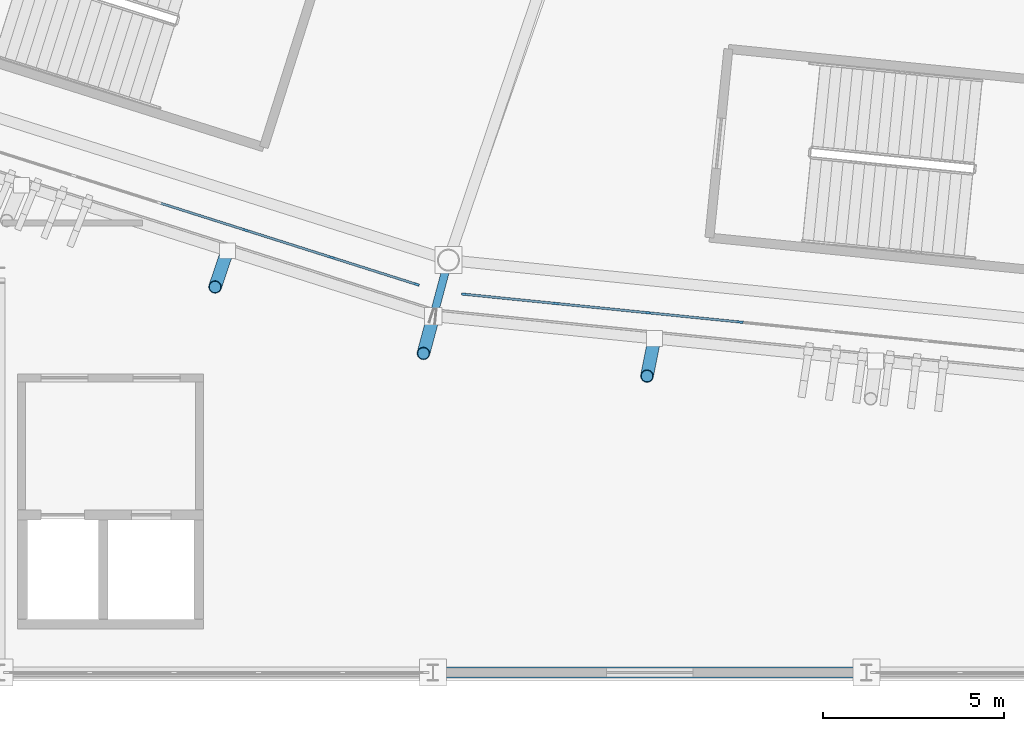
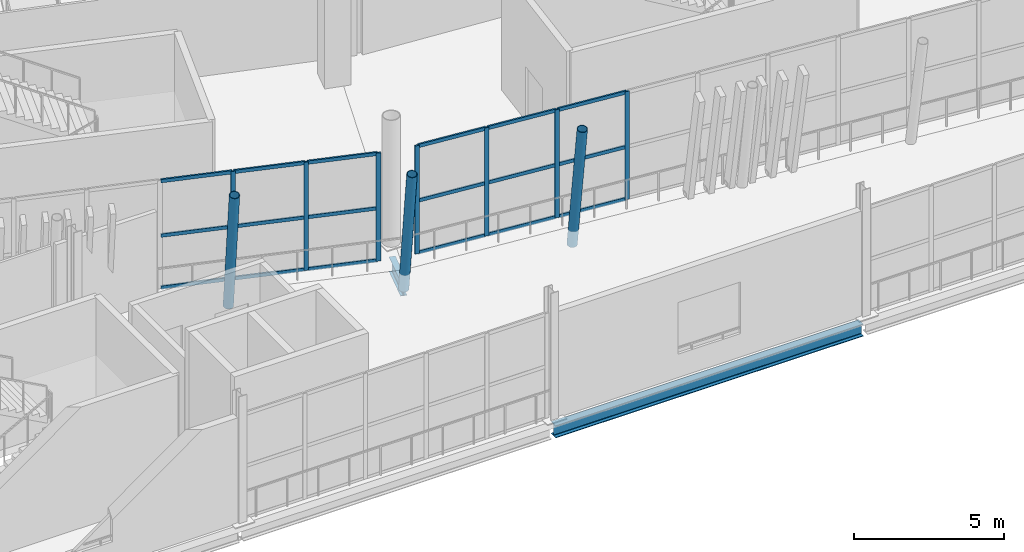
# One storey, part 33 of 178: 28 members, 2 beams, 2 elements without a shape of their own.
"""IFC4 building model written with IfcOpenShell, lengths in metres."""

from ifc_helpers import new_model, si_unit, direction, frame, origin, origin_2d, place, context, subcontext, project, spatial, rectangle, hollow_circle, i_section, extrude, material, material_profile, profile_set, type_object, element, aggregate, save


model = new_model("IFC4")

# Units and contexts
model_context = context("Model", 3, precision=1e-05, world=origin(), true_north=direction((0.0, 1.0)))
body_context = subcontext(model_context, "Body", "Model", "MODEL_VIEW")
ifc_project = project(units=[si_unit("LENGTHUNIT", "METRE"), si_unit("AREAUNIT", "SQUARE_METRE"), si_unit("VOLUMEUNIT", "CUBIC_METRE"), si_unit("PLANEANGLEUNIT", "RADIAN"), si_unit("MASSUNIT", "GRAM", prefix="KILO")], contexts=[model_context])

# Site, building, storey
site_placement = place(None, origin())
site = spatial("IfcSite", under=ifc_project, at=site_placement, CompositionType="ELEMENT")
building_placement = place(site_placement, origin())
building = spatial("IfcBuilding", under=site, at=building_placement, Name="Zlatoyarsky Gate Stadium", CompositionType="ELEMENT")
storey_placement = place(building_placement, frame((0.0, 0.0, 5.39990234375)))
storey = spatial("IfcBuildingStorey", under=building, at=storey_placement, Name="L01", CompositionType="ELEMENT", Elevation=5.39990234375)

# Curtain wall, members
ifc_material_1 = material(Name="Thermally broken anodised aluminium curtain wall", Category="aluminium")
curtain_wall_type = type_object("IfcCurtainWallType", Name="UNITISED HOSPITALITY GLAZING L01", PredefinedType="USERDEFINED", material=ifc_material_1)
curtain_wall_1_placement = place(storey_placement, origin())
curtain_wall_1 = element("IfcCurtainWall", 1, at=curtain_wall_1_placement, inside=storey, type_object=curtain_wall_type, Name="Curtain wall CW-L01-16", ObjectType="UNITISED GLAZING", PredefinedType="USERDEFINED")
ifc_material_2 = material(Name="Anodised aluminium 6063-T6", Category="aluminium")
ifc_material_profile_1 = material_profile(ifc_material_2, rectangle(XDim=0.06494140625, YDim=0.159912109375, at=origin_2d()), Name="ALU 65X160")
ifc_profile_set_1 = profile_set([ifc_material_profile_1], Name="Anodised aluminium 6063-T6")
member_type_1 = type_object("IfcMemberType", Name="ALUMINIUM MULLION 65X160", PredefinedType="MULLION", material=ifc_profile_set_1)
member_1_placement = place(storey_placement, frame((81.3173828125, 12.247314453125, 0.0), z_axis=(0.0, 0.0, 1.0), x_axis=(0.302333944964, 0.953202069722, 0.0)))
member_1 = element("IfcMember", 2, at=member_1_placement, type_object=member_type_1, Name="CW-UG1 mullion 8", PredefinedType="MULLION", context=body_context, shape_type="SweptSolid", body=[
    extrude(rectangle(XDim=0.06494140625, YDim=0.159912109375, at=origin_2d()), origin(), (0.0, 0.0, 1.0), 4.400146484375),
])
member_2_placement = place(storey_placement, frame((83.6962890625, 11.49267578125, 0.0), z_axis=(0.0, 0.0, 1.0), x_axis=(0.302333944964, 0.953202069722, 0.0)))
member_2 = element("IfcMember", 3, at=member_2_placement, type_object=member_type_1, Name="CW-UG1 mullion 9", PredefinedType="MULLION", context=body_context, shape_type="SweptSolid", body=[
    extrude(rectangle(XDim=0.06494140625, YDim=0.159912109375, at=origin_2d()), origin(), (0.0, 0.0, 1.0), 4.400146484375),
])
member_3_placement = place(storey_placement, frame((86.044189453125, 10.748046875, 0.0), z_axis=(0.0, 0.0, 1.0), x_axis=(0.302333944964, 0.953202069722, 0.0)))
member_3 = element("IfcMember", 4, at=member_3_placement, type_object=member_type_1, Name="CW-UG1 mullion 10", PredefinedType="MULLION", context=body_context, shape_type="SweptSolid", body=[
    extrude(rectangle(XDim=0.06494140625, YDim=0.159912109375, at=origin_2d()), origin(), (0.0, 0.0, 1.0), 4.400146484375),
])

curtain_wall_2_placement = place(storey_placement, origin())
curtain_wall_2 = element("IfcCurtainWall", 5, at=curtain_wall_2_placement, inside=storey, type_object=curtain_wall_type, Name="Curtain wall CW-L01-17", ObjectType="UNITISED GLAZING", PredefinedType="USERDEFINED")
member_4_placement = place(storey_placement, frame((87.373779296875, 10.47314453125, 0.0), z_axis=(0.0, 0.0, 1.0), x_axis=(0.100300354307, 0.99495720457, 0.0)))
member_4 = element("IfcMember", 6, at=member_4_placement, type_object=member_type_1, Name="CW-UG1 mullion 1", PredefinedType="MULLION", context=body_context, shape_type="SweptSolid", body=[
    extrude(rectangle(XDim=0.06494140625, YDim=0.159912109375, at=origin_2d()), origin(), (0.0, 0.0, 1.0), 4.400146484375),
])
member_5_placement = place(storey_placement, frame((89.898193359375, 10.21875, 0.0), z_axis=(0.0, 0.0, 1.0), x_axis=(0.100300354307, 0.99495720457, 0.0)))
member_5 = element("IfcMember", 7, at=member_5_placement, type_object=member_type_1, Name="CW-UG1 mullion 2", PredefinedType="MULLION", context=body_context, shape_type="SweptSolid", body=[
    extrude(rectangle(XDim=0.06494140625, YDim=0.159912109375, at=origin_2d()), origin(), (0.0, 0.0, 1.0), 4.400146484375),
])
member_6_placement = place(storey_placement, frame((92.455078125, 9.9609375, 0.0), z_axis=(0.0, 0.0, 1.0), x_axis=(0.100300354307, 0.99495720457, 0.0)))
member_6 = element("IfcMember", 8, at=member_6_placement, type_object=member_type_1, Name="CW-UG1 mullion 3", PredefinedType="MULLION", context=body_context, shape_type="SweptSolid", body=[
    extrude(rectangle(XDim=0.06494140625, YDim=0.159912109375, at=origin_2d()), origin(), (0.0, 0.0, 1.0), 4.400146484375),
])
member_7_placement = place(storey_placement, frame((95.011962890625, 9.703125, 0.0), z_axis=(0.0, 0.0, 1.0), x_axis=(0.100300354307, 0.99495720457, 0.0)))
member_7 = element("IfcMember", 9, at=member_7_placement, type_object=member_type_1, Name="CW-UG1 mullion 4", PredefinedType="MULLION", context=body_context, shape_type="SweptSolid", body=[
    extrude(rectangle(XDim=0.06494140625, YDim=0.159912109375, at=origin_2d()), origin(), (0.0, 0.0, 1.0), 4.400146484375),
])

# Member
ifc_material_profile_2 = material_profile(ifc_material_2, rectangle(XDim=0.06494140625, YDim=0.139892578125, at=origin_2d()), Name="ALU 65X140")
ifc_profile_set_2 = profile_set([ifc_material_profile_2], Name="Anodised aluminium 6063-T6")
member_type_2 = type_object("IfcMemberType", Name="ALUMINIUM TRANSOM 65X140", PredefinedType="USERDEFINED", material=ifc_profile_set_2)
member_8_placement = place(storey_placement, frame((78.969482421875, 12.991943359375, 0.03271484375), z_axis=(0.953202400963, -0.302332900622, 0.0), x_axis=(0.302332900622, 0.953202400963, 0.0)))
member_8 = element("IfcMember", 10, at=member_8_placement, type_object=member_type_2, Name="CW-UG1 transom 7.1", ObjectType="TRANSOM", PredefinedType="USERDEFINED", context=body_context, shape_type="SweptSolid", body=[
    extrude(rectangle(XDim=0.06494140625, YDim=0.139892578125, at=origin_2d()), origin(), (0.0, 0.0, 1.0), 2.4306640625),
])

member_9_placement = place(storey_placement, frame((78.969482421875, 12.991943359375, 2.150146484375), z_axis=(0.953202400963, -0.302332900622, 0.0), x_axis=(0.302332900622, 0.953202400963, 0.0)))
member_9 = element("IfcMember", 11, at=member_9_placement, type_object=member_type_2, Name="CW-UG1 transom 7.2", ObjectType="TRANSOM", PredefinedType="USERDEFINED", context=body_context, shape_type="SweptSolid", body=[
    extrude(rectangle(XDim=0.06494140625, YDim=0.139892578125, at=origin_2d()), origin(), (0.0, 0.0, 1.0), 2.4306640625),
])

member_10_placement = place(storey_placement, frame((78.969482421875, 12.991943359375, 4.36767578125), z_axis=(0.953202400963, -0.302332900622, 0.0), x_axis=(0.302332900622, 0.953202400963, 0.0)))
member_10 = element("IfcMember", 12, at=member_10_placement, type_object=member_type_2, Name="CW-UG1 transom 7.3", ObjectType="TRANSOM", PredefinedType="USERDEFINED", context=body_context, shape_type="SweptSolid", body=[
    extrude(rectangle(XDim=0.06494140625, YDim=0.139892578125, at=origin_2d()), origin(), (0.0, 0.0, 1.0), 2.4306640625),
])

member_11_placement = place(storey_placement, frame((81.348388671875, 12.2373046875, 0.03271484375), z_axis=(0.953202400963, -0.302332900622, 0.0), x_axis=(0.302332900622, 0.953202400963, 0.0)))
member_11 = element("IfcMember", 13, at=member_11_placement, type_object=member_type_2, Name="CW-UG1 transom 8.1", ObjectType="TRANSOM", PredefinedType="USERDEFINED", context=body_context, shape_type="SweptSolid", body=[
    extrude(rectangle(XDim=0.06494140625, YDim=0.139892578125, at=origin_2d()), origin(), (0.0, 0.0, 1.0), 2.4306640625),
])

member_12_placement = place(storey_placement, frame((81.348388671875, 12.2373046875, 2.150146484375), z_axis=(0.953202400963, -0.302332900622, 0.0), x_axis=(0.302332900622, 0.953202400963, 0.0)))
member_12 = element("IfcMember", 14, at=member_12_placement, type_object=member_type_2, Name="CW-UG1 transom 8.2", ObjectType="TRANSOM", PredefinedType="USERDEFINED", context=body_context, shape_type="SweptSolid", body=[
    extrude(rectangle(XDim=0.06494140625, YDim=0.139892578125, at=origin_2d()), origin(), (0.0, 0.0, 1.0), 2.4306640625),
])

member_13_placement = place(storey_placement, frame((81.348388671875, 12.2373046875, 4.36767578125), z_axis=(0.953202400963, -0.302332900622, 0.0), x_axis=(0.302332900622, 0.953202400963, 0.0)))
member_13 = element("IfcMember", 15, at=member_13_placement, type_object=member_type_2, Name="CW-UG1 transom 8.3", ObjectType="TRANSOM", PredefinedType="USERDEFINED", context=body_context, shape_type="SweptSolid", body=[
    extrude(rectangle(XDim=0.06494140625, YDim=0.139892578125, at=origin_2d()), origin(), (0.0, 0.0, 1.0), 2.4306640625),
])

member_14_placement = place(storey_placement, frame((83.727294921875, 11.48291015625, 0.03271484375), z_axis=(0.953194146276, -0.302358924964, 0.0), x_axis=(0.302358924964, 0.953194146276, 0.0)))
member_14 = element("IfcMember", 16, at=member_14_placement, type_object=member_type_2, Name="CW-UG1 transom 9.1", ObjectType="TRANSOM", PredefinedType="USERDEFINED", context=body_context, shape_type="SweptSolid", body=[
    extrude(rectangle(XDim=0.06494140625, YDim=0.139892578125, at=origin_2d()), origin(), (0.0, 0.0, 1.0), 2.398193359375),
])

member_15_placement = place(storey_placement, frame((83.727294921875, 11.48291015625, 2.150146484375), z_axis=(0.953194146276, -0.302358924964, 0.0), x_axis=(0.302358924964, 0.953194146276, 0.0)))
member_15 = element("IfcMember", 17, at=member_15_placement, type_object=member_type_2, Name="CW-UG1 transom 9.2", ObjectType="TRANSOM", PredefinedType="USERDEFINED", context=body_context, shape_type="SweptSolid", body=[
    extrude(rectangle(XDim=0.06494140625, YDim=0.139892578125, at=origin_2d()), origin(), (0.0, 0.0, 1.0), 2.398193359375),
])

member_16_placement = place(storey_placement, frame((83.727294921875, 11.48291015625, 4.36767578125), z_axis=(0.953194146276, -0.302358924964, 0.0), x_axis=(0.302358924964, 0.953194146276, 0.0)))
member_16 = element("IfcMember", 18, at=member_16_placement, type_object=member_type_2, Name="CW-UG1 transom 9.3", ObjectType="TRANSOM", PredefinedType="USERDEFINED", context=body_context, shape_type="SweptSolid", body=[
    extrude(rectangle(XDim=0.06494140625, YDim=0.139892578125, at=origin_2d()), origin(), (0.0, 0.0, 1.0), 2.398193359375),
])

aggregate(curtain_wall_1, [member_1, member_2, member_3, member_8, member_9, member_10, member_11, member_12, member_13, member_14, member_15, member_16])

member_17_placement = place(storey_placement, frame((87.406005859375, 10.469970703125, 0.03271484375), z_axis=(0.994954726743, -0.100324930763, 0.0), x_axis=(0.100324930763, 0.994954726743, 0.0)))
member_17 = element("IfcMember", 19, at=member_17_placement, type_object=member_type_2, Name="CW-UG1 transom 1.1", ObjectType="TRANSOM", PredefinedType="USERDEFINED", context=body_context, shape_type="SweptSolid", body=[
    extrude(rectangle(XDim=0.06494140625, YDim=0.139892578125, at=origin_2d()), origin(), (0.0, 0.0, 1.0), 2.472412109375),
])

member_18_placement = place(storey_placement, frame((87.406005859375, 10.469970703125, 2.150146484375), z_axis=(0.994954726743, -0.100324930763, 0.0), x_axis=(0.100324930763, 0.994954726743, 0.0)))
member_18 = element("IfcMember", 20, at=member_18_placement, type_object=member_type_2, Name="CW-UG1 transom 1.2", ObjectType="TRANSOM", PredefinedType="USERDEFINED", context=body_context, shape_type="SweptSolid", body=[
    extrude(rectangle(XDim=0.06494140625, YDim=0.139892578125, at=origin_2d()), origin(), (0.0, 0.0, 1.0), 2.472412109375),
])

member_19_placement = place(storey_placement, frame((87.406005859375, 10.469970703125, 4.36767578125), z_axis=(0.994954726743, -0.100324930763, 0.0), x_axis=(0.100324930763, 0.994954726743, 0.0)))
member_19 = element("IfcMember", 21, at=member_19_placement, type_object=member_type_2, Name="CW-UG1 transom 1.3", ObjectType="TRANSOM", PredefinedType="USERDEFINED", context=body_context, shape_type="SweptSolid", body=[
    extrude(rectangle(XDim=0.06494140625, YDim=0.139892578125, at=origin_2d()), origin(), (0.0, 0.0, 1.0), 2.472412109375),
])

member_20_placement = place(storey_placement, frame((89.9306640625, 10.215576171875, 0.03271484375), z_axis=(0.994957742763, -0.10029501541, 0.0), x_axis=(0.10029501541, 0.994957742763, 0.0)))
member_20 = element("IfcMember", 22, at=member_20_placement, type_object=member_type_2, Name="CW-UG1 transom 2.1", ObjectType="TRANSOM", PredefinedType="USERDEFINED", context=body_context, shape_type="SweptSolid", body=[
    extrude(rectangle(XDim=0.06494140625, YDim=0.139892578125, at=origin_2d()), origin(), (0.0, 0.0, 1.0), 2.5048828125),
])

member_21_placement = place(storey_placement, frame((89.9306640625, 10.215576171875, 2.150146484375), z_axis=(0.994957742763, -0.10029501541, 0.0), x_axis=(0.10029501541, 0.994957742763, 0.0)))
member_21 = element("IfcMember", 23, at=member_21_placement, type_object=member_type_2, Name="CW-UG1 transom 2.2", ObjectType="TRANSOM", PredefinedType="USERDEFINED", context=body_context, shape_type="SweptSolid", body=[
    extrude(rectangle(XDim=0.06494140625, YDim=0.139892578125, at=origin_2d()), origin(), (0.0, 0.0, 1.0), 2.5048828125),
])

member_22_placement = place(storey_placement, frame((89.9306640625, 10.215576171875, 4.36767578125), z_axis=(0.994957742763, -0.10029501541, 0.0), x_axis=(0.10029501541, 0.994957742763, 0.0)))
member_22 = element("IfcMember", 24, at=member_22_placement, type_object=member_type_2, Name="CW-UG1 transom 2.3", ObjectType="TRANSOM", PredefinedType="USERDEFINED", context=body_context, shape_type="SweptSolid", body=[
    extrude(rectangle(XDim=0.06494140625, YDim=0.139892578125, at=origin_2d()), origin(), (0.0, 0.0, 1.0), 2.5048828125),
])

member_23_placement = place(storey_placement, frame((92.487548828125, 9.957763671875, 0.03271484375), z_axis=(0.994957742763, -0.10029501541, 0.0), x_axis=(0.10029501541, 0.994957742763, 0.0)))
member_23 = element("IfcMember", 25, at=member_23_placement, type_object=member_type_2, Name="CW-UG1 transom 3.1", ObjectType="TRANSOM", PredefinedType="USERDEFINED", context=body_context, shape_type="SweptSolid", body=[
    extrude(rectangle(XDim=0.06494140625, YDim=0.139892578125, at=origin_2d()), origin(), (0.0, 0.0, 1.0), 2.5048828125),
])

member_24_placement = place(storey_placement, frame((92.487548828125, 9.957763671875, 2.150146484375), z_axis=(0.994957742763, -0.10029501541, 0.0), x_axis=(0.10029501541, 0.994957742763, 0.0)))
member_24 = element("IfcMember", 26, at=member_24_placement, type_object=member_type_2, Name="CW-UG1 transom 3.2", ObjectType="TRANSOM", PredefinedType="USERDEFINED", context=body_context, shape_type="SweptSolid", body=[
    extrude(rectangle(XDim=0.06494140625, YDim=0.139892578125, at=origin_2d()), origin(), (0.0, 0.0, 1.0), 2.5048828125),
])

member_25_placement = place(storey_placement, frame((92.487548828125, 9.957763671875, 4.36767578125), z_axis=(0.994957742763, -0.10029501541, 0.0), x_axis=(0.10029501541, 0.994957742763, 0.0)))
member_25 = element("IfcMember", 27, at=member_25_placement, type_object=member_type_2, Name="CW-UG1 transom 3.3", ObjectType="TRANSOM", PredefinedType="USERDEFINED", context=body_context, shape_type="SweptSolid", body=[
    extrude(rectangle(XDim=0.06494140625, YDim=0.139892578125, at=origin_2d()), origin(), (0.0, 0.0, 1.0), 2.5048828125),
])

aggregate(curtain_wall_2, [member_4, member_5, member_6, member_7, member_17, member_18, member_19, member_20, member_21, member_22, member_23, member_24, member_25])

# Beam
ifc_material_3 = material(Name="Steel S355", Category="steel")
ifc_material_profile_3 = material_profile(ifc_material_3, i_section(OverallWidth=0.219970703125, OverallDepth=0.60009765625, WebThickness=0.011962890625, FlangeThickness=0.01904296875, FilletRadius=0.02392578125, at=origin_2d()), Name="IPE 600")
ifc_profile_set_3 = profile_set([ifc_material_profile_3], Name="Steel S355")
beam_type_1 = type_object("IfcBeamType", Name="STEEL CANTILEVER FLOOR BEAM IPE 600", PredefinedType="BEAM", material=ifc_profile_set_3)
beam_1_placement = place(storey_placement, frame((86.898681640625, 11.303466796875, -0.760009765625), z_axis=(-0.258785268971, -0.965934875943, 0.0), x_axis=(0.965934875943, -0.258785268971, 0.0)))
element("IfcBeam", 28, at=beam_1_placement, inside=storey, type_object=beam_type_1, Name="Beam B-IPE600 BM-L01-OUT-17", PredefinedType="BEAM", context=body_context, shape_type="SweptSolid", body=[
    extrude(i_section(OverallWidth=0.219970703125, OverallDepth=0.60009765625, WebThickness=0.011962890625, FlangeThickness=0.01904296875, FilletRadius=0.02392578125, at=origin_2d()), origin(), (0.0, 0.0, 1.0), 1.48876953125),
])

# Members
ifc_material_profile_4 = material_profile(ifc_material_3, hollow_circle(Radius=0.177734375, WallThickness=0.02001953125, at=origin_2d()), Name="CHS 355.6X20")
ifc_profile_set_4 = profile_set([ifc_material_profile_4], Name="Steel S355")
member_type_3 = type_object("IfcMemberType", Name="STEEL LEANING RIB RING STRUT CHS 355.6X20", PredefinedType="STRUT", material=ifc_profile_set_4)
member_26_placement = place(storey_placement, frame((86.513427734375, 9.865478515625, -0.760009765625), z_axis=(-0.050341687728, -0.187969007318, 0.980883972121), x_axis=(0.965957238494, -0.258701784688, 0.0)))
element("IfcMember", 29, at=member_26_placement, inside=storey, type_object=member_type_3, Name="Leaning ring strut 17 L01 to L02", PredefinedType="STRUT", context=body_context, shape_type="SweptSolid", body=[
    extrude(hollow_circle(Radius=0.177734375, WallThickness=0.02001953125, at=origin_2d()), origin(), (0.0, 0.0, 1.0), 5.48486328125),
])
member_27_placement = place(storey_placement, frame((80.80908203125, 11.678955078125, -0.5498046875), z_axis=(-0.063938499035, -0.18856127959, 0.979977812086), x_axis=(0.947036218276, -0.321126768229, 0.0)))
element("IfcMember", 30, at=member_27_placement, inside=storey, type_object=member_type_3, Name="Outward-leaning bowl louvre fin rib L01 16-3", PredefinedType="STRUT", context=body_context, shape_type="SweptSolid", body=[
    extrude(hollow_circle(Radius=0.177734375, WallThickness=0.02001953125, at=origin_2d()), origin(), (0.0, 0.0, 1.0), 5.32666015625),
])
member_28_placement = place(storey_placement, frame((92.635009765625, 9.2470703125, -0.7099609375), z_axis=(-0.037754027657, -0.189705084722, 0.981114985221), x_axis=(0.980766143879, -0.195186503171, 0.0)))
element("IfcMember", 31, at=member_28_placement, inside=storey, type_object=member_type_3, Name="Outward-leaning bowl louvre fin rib L01 17-1", PredefinedType="STRUT", context=body_context, shape_type="SweptSolid", body=[
    extrude(hollow_circle(Radius=0.177734375, WallThickness=0.02001953125, at=origin_2d()), origin(), (0.0, 0.0, 1.0), 5.483642578125),
])

# Beam
ifc_material_profile_5 = material_profile(ifc_material_3, i_section(OverallWidth=0.300048828125, OverallDepth=0.5, WebThickness=0.014404296875, FlangeThickness=0.028076171875, FilletRadius=0.027099609375, at=origin_2d()), Name="HEB 500")
ifc_profile_set_5 = profile_set([ifc_material_profile_5], Name="Steel S355")
beam_type_2 = type_object("IfcBeamType", Name="STEEL PRIMARY GIRDER HEB 500", PredefinedType="BEAM", material=ifc_profile_set_5)
beam_2_placement = place(storey_placement, frame((86.580078125, 0.0, -0.5498046875), z_axis=(1.0, 0.0, 0.0), x_axis=(0.0, 1.0, 0.0)))
element("IfcBeam", 32, at=beam_2_placement, inside=storey, type_object=beam_type_2, Name="Beam G-HEB500 BM-L01-WGX-8-A", PredefinedType="BEAM", context=body_context, shape_type="SweptSolid", body=[
    extrude(i_section(OverallWidth=0.300048828125, OverallDepth=0.5, WebThickness=0.014404296875, FlangeThickness=0.028076171875, FilletRadius=0.027099609375, at=origin_2d()), origin(), (0.0, 0.0, 1.0), 11.83984375),
])

save(model, "model.ifc")
